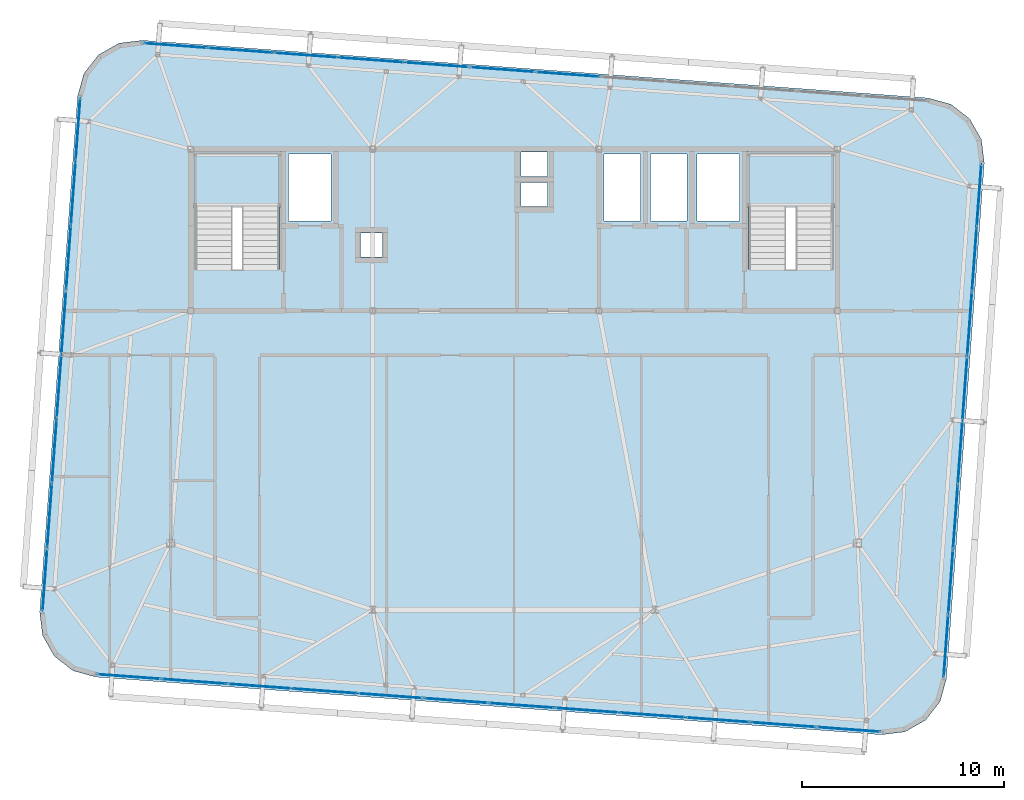
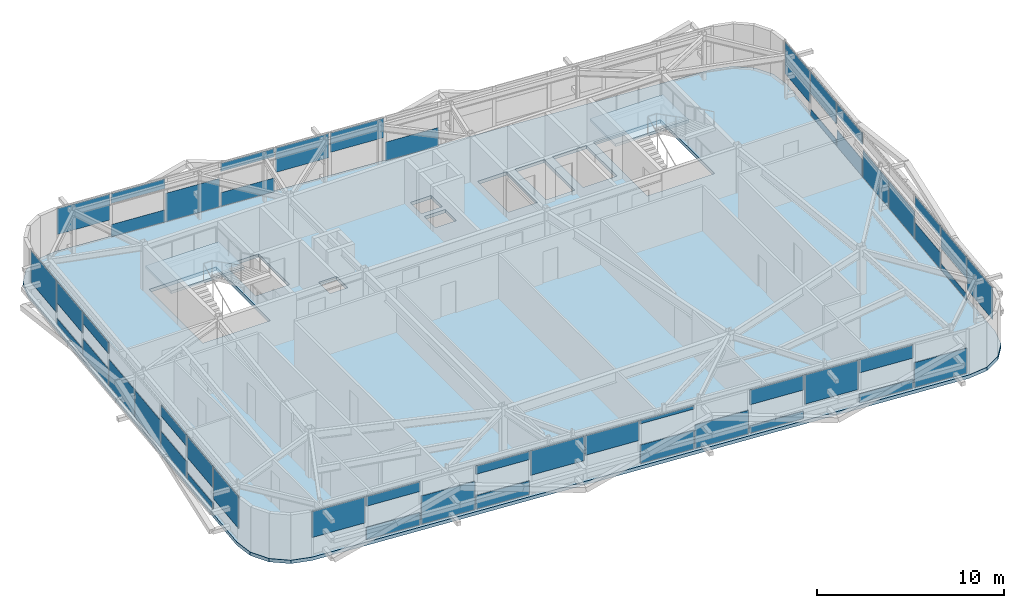
# One storey, part 29 of 42: 50 plates, 3 slabs, 6 elements without a shape of their own.
"""IFC4 building model written with IfcOpenShell, lengths in metres."""

from ifc_helpers import new_model, si_unit, direction, frame, origin, origin_2d, place, context, subcontext, project, spatial, polyline, rectangle, outline, extrude, source, transform, mapped, material, layer, layer_set, type_object, element, aggregate, save


model = new_model("IFC4")

# Units and contexts
model_context = context("Model", 3, precision=1e-05, world=origin(), true_north=direction((0.0, 1.0)))
body_context = subcontext(model_context, "Body", "Model", "MODEL_VIEW")
ifc_project = project(units=[si_unit("LENGTHUNIT", "METRE"), si_unit("AREAUNIT", "SQUARE_METRE"), si_unit("VOLUMEUNIT", "CUBIC_METRE"), si_unit("PLANEANGLEUNIT", "RADIAN"), si_unit("MASSUNIT", "GRAM", prefix="KILO")], contexts=[model_context])

# Site, building, storey
site_placement = place(None, origin())
site = spatial("IfcSite", under=ifc_project, at=site_placement, CompositionType="ELEMENT")
building_placement = place(site_placement, origin())
building = spatial("IfcBuilding", under=site, at=building_placement, Name="Taldren Reach Tower", CompositionType="ELEMENT")
storey_placement = place(building_placement, frame((0.0, 0.0, 224.0)))
storey = spatial("IfcBuildingStorey", under=building, at=storey_placement, Name="L68", CompositionType="ELEMENT", Elevation=224.0)

# Slab
ifc_material_1 = material(Name="Concrete N40 (40 MPa)", Category="concrete")
ifc_layer_1 = layer(ifc_material_1, 0.219970703125)
ifc_layer_set_1 = layer_set([ifc_layer_1], Name="Concrete N40 (40 MPa)")
slab_type_1 = type_object("IfcSlabType", Name="SL-FLR-220", PredefinedType="FLOOR", material=ifc_layer_set_1)
slab_1_placement = place(storey_placement, frame((0.0, 0.0, -0.219970703125)))
element("IfcSlab", 1, at=slab_1_placement, inside=storey, type_object=slab_type_1, Name="Suspended floor slab L68", PredefinedType="FLOOR", context=body_context, shape_type="SweptSolid", body=[
    extrude(outline(polyline([(53.1904296875, 3.014404296875), (54.35205078125, 3.157958984375), (55.370361328125, 3.7353515625), (56.09033203125, 4.658203125), (56.402099609375, 5.78662109375), (58.277099609375, 31.31787109375), (58.13330078125, 32.4794921875), (57.55615234375, 33.497802734375), (56.633056640625, 34.217529296875), (55.5048828125, 34.529541015625), (16.609619140625, 37.3857421875), (15.44775390625, 37.241943359375), (14.429443359375, 36.664794921875), (13.709716796875, 35.74169921875), (13.39794921875, 34.613525390625), (11.52294921875, 9.082275390625), (11.666748046875, 7.920654296875), (12.243896484375, 6.90234375), (13.1669921875, 6.182373046875), (14.295166015625, 5.87060546875), (53.1904296875, 3.014404296875)]), holes=[polyline([(19.219970703125, 26.050048828125), (23.3798828125, 26.050048828125), (23.3798828125, 31.820068359375), (19.219970703125, 31.820068359375), (19.219970703125, 26.050048828125)]), polyline([(46.6201171875, 26.050048828125), (50.780029296875, 26.050048828125), (50.780029296875, 31.820068359375), (46.6201171875, 31.820068359375), (46.6201171875, 26.050048828125)]), polyline([(23.85009765625, 28.449951171875), (25.949951171875, 28.449951171875), (25.949951171875, 31.75), (23.85009765625, 31.75), (23.85009765625, 28.449951171875)]), polyline([(44.050048828125, 28.449951171875), (46.14990234375, 28.449951171875), (46.14990234375, 31.75), (44.050048828125, 31.75), (44.050048828125, 28.449951171875)]), polyline([(39.449951171875, 28.449951171875), (41.25, 28.449951171875), (41.25, 31.75), (39.449951171875, 31.75), (39.449951171875, 28.449951171875)]), polyline([(41.75, 28.449951171875), (43.550048828125, 28.449951171875), (43.550048828125, 31.75), (41.75, 31.75), (41.75, 28.449951171875)]), polyline([(35.35009765625, 30.64990234375), (36.64990234375, 30.64990234375), (36.64990234375, 31.85009765625), (35.35009765625, 31.85009765625), (35.35009765625, 30.64990234375)]), polyline([(35.35009765625, 29.14990234375), (36.64990234375, 29.14990234375), (36.64990234375, 30.35009765625), (35.35009765625, 30.35009765625), (35.35009765625, 29.14990234375)]), polyline([(27.39990234375, 26.64990234375), (28.5, 26.64990234375), (28.5, 27.85009765625), (27.39990234375, 27.85009765625), (27.39990234375, 26.64990234375)])]), origin(), (0.0, 0.0, 1.0), 0.219970703125),
])

# Stair, slab
ifc_material_2 = material(Name="Concrete S50 (50 MPa)", Category="concrete")
stair_type = type_object("IfcStairType", Name="ST-HT-315", PredefinedType="HALF_TURN_STAIR", material=ifc_material_2)
stair_1_placement = place(storey_placement, origin())
stair_1 = element("IfcStair", 2, at=stair_1_placement, inside=storey, type_object=stair_type, Name="Fire-isolated exit stair ST1 L68", PredefinedType="HALF_TURN_STAIR")
ifc_layer_2 = layer(ifc_material_2, 0.179931640625)
ifc_layer_set_2 = layer_set([ifc_layer_2], Name="Concrete S50 (50 MPa)")
slab_type_2 = type_object("IfcSlabType", Name="SL-LAND-180", PredefinedType="LANDING", material=ifc_layer_set_2)
slab_2_placement = place(storey_placement, frame((0.0, 0.0, 1.39501953125)))
slab_2 = element("IfcSlab", 3, at=slab_2_placement, type_object=slab_type_2, Name="ST1 landing 1", PredefinedType="LANDING", context=body_context, shape_type="SweptSolid", body=[
    extrude(outline(polyline([(19.0400390625, 29.135009765625), (23.56005859375, 29.135009765625), (23.56005859375, 31.8701171875), (19.0400390625, 31.8701171875), (19.0400390625, 29.135009765625)])), origin(), (0.0, 0.0, 1.0), 0.179931640625),
])
aggregate(stair_1, [slab_2])

stair_2_placement = place(storey_placement, origin())
stair_2 = element("IfcStair", 4, at=stair_2_placement, inside=storey, type_object=stair_type, Name="Fire-isolated exit stair ST2 L68", PredefinedType="HALF_TURN_STAIR")
slab_3_placement = place(storey_placement, frame((0.0, 0.0, 1.39501953125)))
slab_3 = element("IfcSlab", 5, at=slab_3_placement, type_object=slab_type_2, Name="ST2 landing 1", PredefinedType="LANDING", context=body_context, shape_type="SweptSolid", body=[
    extrude(outline(polyline([(46.43994140625, 29.135009765625), (50.9599609375, 29.135009765625), (50.9599609375, 31.8701171875), (46.43994140625, 31.8701171875), (46.43994140625, 29.135009765625)])), origin(), (0.0, 0.0, 1.0), 0.179931640625),
])
aggregate(stair_2, [slab_3])

# Curtain wall, plates
ifc_material_3 = material(Name="Aluminium and Low-E Glass Unitised System", Category="aluminium")
ifc_layer_3 = layer(ifc_material_3, 0.159912109375)
ifc_layer_set_3 = layer_set([ifc_layer_3], Name="Aluminium and Low-E Glass Unitised System")
curtain_wall_type = type_object("IfcCurtainWallType", Name="CW-SYS-6", PredefinedType="NOTDEFINED", material=ifc_layer_set_3)
curtain_wall_1_placement = place(storey_placement, origin())
curtain_wall_1 = element("IfcCurtainWall", 6, at=curtain_wall_1_placement, inside=storey, type_object=curtain_wall_type, Name="Unitised curtain wall CW-L68-S", PredefinedType="NOTDEFINED")
ifc_material_4 = material(Name="Acoustic Triple-Laminated IGU", Category="glass")
ifc_layer_4 = layer(ifc_material_4, 0.035888671875)
ifc_layer_set_4 = layer_set([ifc_layer_4], Name="Acoustic Triple-Laminated IGU")
plate_type = type_object("IfcPlateType", Name="CW-PNL-IGU36", PredefinedType="CURTAIN_PANEL", material=ifc_layer_set_4)
shared_shape_1 = source(origin(), body_context, "Body", "SweptSolid", [
    extrude(rectangle(XDim=3.137451171875, YDim=0.035888671875, at=origin_2d()), origin(), (0.0, 0.0, 1.0), 1.63037109375),
])
plate_1_placement = place(storey_placement, frame((51.561279296875, 3.2744140625, 0.06005859375), z_axis=(0.0, 0.0, 1.0), x_axis=(0.997314476006, -0.073238213716, 0.0)))
plate_1 = element("IfcPlate", 7, at=plate_1_placement, type_object=plate_type, Name="CW-6 panel 12.1 part 1", PredefinedType="CURTAIN_PANEL", context=body_context, shape_type="MappedRepresentation", body=[
    mapped(shared_shape_1, transform((0.0, 0.0, 0.0), scale=1.0)),
])
shared_shape_2 = source(origin(), body_context, "Body", "SweptSolid", [
    extrude(rectangle(XDim=3.175048828125, YDim=0.035888671875, at=origin_2d()), origin(), (0.0, 0.0, 1.0), 0.574462890625),
])
plate_2_placement = place(storey_placement, frame((48.3388671875, 3.510986328125, 0.06005859375), z_axis=(0.0, 0.0, 1.0), x_axis=(0.997314476006, -0.073238213716, 0.0)))
plate_2 = element("IfcPlate", 8, at=plate_2_placement, type_object=plate_type, Name="CW-6 panel 11.1 part 1", PredefinedType="CURTAIN_PANEL", context=body_context, shape_type="MappedRepresentation", body=[
    mapped(shared_shape_2, transform((0.0, 0.0, 0.0), scale=1.0)),
])
shared_shape_3 = source(origin(), body_context, "Body", "SweptSolid", [
    extrude(rectangle(XDim=3.175048828125, YDim=0.035888671875, at=origin_2d()), origin(), (0.0, 0.0, 1.0), 0.852294921875),
])
plate_3_placement = place(storey_placement, frame((48.3388671875, 3.510986328125, 2.017578125), z_axis=(0.0, 0.0, 1.0), x_axis=(0.997314476006, -0.073238213716, 0.0)))
plate_3 = element("IfcPlate", 9, at=plate_3_placement, type_object=plate_type, Name="CW-6 panel 11.1 part 2", PredefinedType="CURTAIN_PANEL", context=body_context, shape_type="MappedRepresentation", body=[
    mapped(shared_shape_3, transform((0.0, 0.0, 0.0), scale=1.0)),
])
shared_shape_4 = source(origin(), body_context, "Body", "SweptSolid", [
    extrude(rectangle(XDim=3.175048828125, YDim=0.035888671875, at=origin_2d()), origin(), (0.0, 0.0, 1.0), 1.907958984375),
])
plate_4_placement = place(storey_placement, frame((45.09765625, 3.7490234375, 0.9619140625), z_axis=(0.0, 0.0, 1.0), x_axis=(0.997314476006, -0.073238213716, 0.0)))
plate_4 = element("IfcPlate", 10, at=plate_4_placement, type_object=plate_type, Name="CW-6 panel 10.1 part 1", PredefinedType="CURTAIN_PANEL", context=body_context, shape_type="MappedRepresentation", body=[
    mapped(shared_shape_4, transform((0.0, 0.0, 0.0), scale=1.0)),
])
shared_shape_5 = source(origin(), body_context, "Body", "SweptSolid", [
    extrude(rectangle(XDim=3.175048828125, YDim=0.035888671875, at=origin_2d()), origin(), (0.0, 0.0, 1.0), 0.473876953125),
])
plate_5_placement = place(storey_placement, frame((41.856201171875, 3.987060546875, 0.06005859375), z_axis=(0.0, 0.0, 1.0), x_axis=(0.997314476006, -0.073238213716, 0.0)))
plate_5 = element("IfcPlate", 11, at=plate_5_placement, type_object=plate_type, Name="CW-6 panel 9.1 part 1", PredefinedType="CURTAIN_PANEL", context=body_context, shape_type="MappedRepresentation", body=[
    mapped(shared_shape_5, transform((0.0, 0.0, 0.0), scale=1.0)),
])
shared_shape_6 = source(origin(), body_context, "Body", "SweptSolid", [
    extrude(rectangle(XDim=3.175048828125, YDim=0.035888671875, at=origin_2d()), origin(), (0.0, 0.0, 1.0), 0.952880859375),
])
plate_6_placement = place(storey_placement, frame((41.856201171875, 3.987060546875, 1.9169921875), z_axis=(0.0, 0.0, 1.0), x_axis=(0.997314476006, -0.073238213716, 0.0)))
plate_6 = element("IfcPlate", 12, at=plate_6_placement, type_object=plate_type, Name="CW-6 panel 9.1 part 2", PredefinedType="CURTAIN_PANEL", context=body_context, shape_type="MappedRepresentation", body=[
    mapped(shared_shape_6, transform((0.0, 0.0, 0.0), scale=1.0)),
])
shared_shape_7 = source(origin(), body_context, "Body", "SweptSolid", [
    extrude(rectangle(XDim=3.175048828125, YDim=0.035888671875, at=origin_2d()), origin(), (0.0, 0.0, 1.0), 1.52978515625),
])
plate_7_placement = place(storey_placement, frame((38.614990234375, 4.22509765625, 0.06005859375), z_axis=(0.0, 0.0, 1.0), x_axis=(0.997314476006, -0.073238213716, 0.0)))
plate_7 = element("IfcPlate", 13, at=plate_7_placement, type_object=plate_type, Name="CW-6 panel 8.1 part 1", PredefinedType="CURTAIN_PANEL", context=body_context, shape_type="MappedRepresentation", body=[
    mapped(shared_shape_7, transform((0.0, 0.0, 0.0), scale=1.0)),
])
shared_shape_8 = source(origin(), body_context, "Body", "SweptSolid", [
    extrude(rectangle(XDim=3.175048828125, YDim=0.035888671875, at=origin_2d()), origin(), (0.0, 0.0, 1.0), 1.21142578125),
])
plate_8_placement = place(storey_placement, frame((35.373779296875, 4.463134765625, 0.06005859375), z_axis=(0.0, 0.0, 1.0), x_axis=(0.997314476006, -0.073238213716, 0.0)))
plate_8 = element("IfcPlate", 14, at=plate_8_placement, type_object=plate_type, Name="CW-6 panel 7.1 part 1", PredefinedType="CURTAIN_PANEL", context=body_context, shape_type="MappedRepresentation", body=[
    mapped(shared_shape_8, transform((0.0, 0.0, 0.0), scale=1.0)),
])

# Curtain wall, plate
curtain_wall_2_placement = place(storey_placement, origin())
curtain_wall_2 = element("IfcCurtainWall", 15, at=curtain_wall_2_placement, inside=storey, type_object=curtain_wall_type, Name="Unitised curtain wall CW-L68-N", PredefinedType="NOTDEFINED")
plate_9_placement = place(storey_placement, frame((37.66748046875, 35.698974609375, 0.06005859375), z_axis=(0.0, 0.0, 1.0), x_axis=(-0.997314476006, 0.073238213716, 0.0)))
plate_9 = element("IfcPlate", 16, at=plate_9_placement, type_object=plate_type, Name="CW-6 panel 6.1 part 1", PredefinedType="CURTAIN_PANEL", context=body_context, shape_type="MappedRepresentation", body=[
    mapped(shared_shape_8, transform((0.0, 0.0, 0.0), scale=1.0)),
])

# Plate
shared_shape_9 = source(origin(), body_context, "Body", "SweptSolid", [
    extrude(rectangle(XDim=3.175048828125, YDim=0.035888671875, at=origin_2d()), origin(), (0.0, 0.0, 1.0), 0.215576171875),
])
plate_10_placement = place(storey_placement, frame((35.373779296875, 4.463134765625, 2.654296875), z_axis=(0.0, 0.0, 1.0), x_axis=(0.997314476006, -0.073238213716, 0.0)))
plate_10 = element("IfcPlate", 17, at=plate_10_placement, type_object=plate_type, Name="CW-6 panel 7.1 part 2", PredefinedType="CURTAIN_PANEL", context=body_context, shape_type="MappedRepresentation", body=[
    mapped(shared_shape_9, transform((0.0, 0.0, 0.0), scale=1.0)),
])

shared_shape_10 = source(origin(), body_context, "Body", "SweptSolid", [
    extrude(rectangle(XDim=3.175048828125, YDim=0.035888671875, at=origin_2d()), origin(), (0.0, 0.0, 1.0), 1.271240234375),
])
plate_11_placement = place(storey_placement, frame((32.132568359375, 4.701171875, 1.5986328125), z_axis=(0.0, 0.0, 1.0), x_axis=(0.997314476006, -0.073238213716, 0.0)))
plate_11 = element("IfcPlate", 18, at=plate_11_placement, type_object=plate_type, Name="CW-6 panel 6.1 part 1", PredefinedType="CURTAIN_PANEL", context=body_context, shape_type="MappedRepresentation", body=[
    mapped(shared_shape_10, transform((0.0, 0.0, 0.0), scale=1.0)),
])

plate_12_placement = place(storey_placement, frame((34.42626953125, 35.93701171875, 1.5986328125), z_axis=(0.0, 0.0, 1.0), x_axis=(-0.997314476006, 0.073238213716, 0.0)))
plate_12 = element("IfcPlate", 19, at=plate_12_placement, type_object=plate_type, Name="CW-6 panel 7.1 part 1", PredefinedType="CURTAIN_PANEL", context=body_context, shape_type="MappedRepresentation", body=[
    mapped(shared_shape_10, transform((0.0, 0.0, 0.0), scale=1.0)),
])

shared_shape_11 = source(origin(), body_context, "Body", "SweptSolid", [
    extrude(rectangle(XDim=3.175048828125, YDim=0.035888671875, at=origin_2d()), origin(), (0.0, 0.0, 1.0), 1.589599609375),
])
plate_13_placement = place(storey_placement, frame((28.89111328125, 4.939208984375, 1.2802734375), z_axis=(0.0, 0.0, 1.0), x_axis=(0.997314476006, -0.073238213716, 0.0)))
plate_13 = element("IfcPlate", 20, at=plate_13_placement, type_object=plate_type, Name="CW-6 panel 5.1 part 1", PredefinedType="CURTAIN_PANEL", context=body_context, shape_type="MappedRepresentation", body=[
    mapped(shared_shape_11, transform((0.0, 0.0, 0.0), scale=1.0)),
])

plate_14_placement = place(storey_placement, frame((31.18505859375, 36.175048828125, 1.2802734375), z_axis=(0.0, 0.0, 1.0), x_axis=(-0.997314476006, 0.073238213716, 0.0)))
plate_14 = element("IfcPlate", 21, at=plate_14_placement, type_object=plate_type, Name="CW-6 panel 8.1 part 1", PredefinedType="CURTAIN_PANEL", context=body_context, shape_type="MappedRepresentation", body=[
    mapped(shared_shape_11, transform((0.0, 0.0, 0.0), scale=1.0)),
])

shared_shape_12 = source(origin(), body_context, "Body", "SweptSolid", [
    extrude(rectangle(XDim=3.175048828125, YDim=0.035888671875, at=origin_2d()), origin(), (0.0, 0.0, 1.0), 0.89306640625),
])
plate_15_placement = place(storey_placement, frame((25.64990234375, 5.177001953125, 0.06005859375), z_axis=(0.0, 0.0, 1.0), x_axis=(0.997314476006, -0.073238213716, 0.0)))
plate_15 = element("IfcPlate", 22, at=plate_15_placement, type_object=plate_type, Name="CW-6 panel 4.1 part 1", PredefinedType="CURTAIN_PANEL", context=body_context, shape_type="MappedRepresentation", body=[
    mapped(shared_shape_12, transform((0.0, 0.0, 0.0), scale=1.0)),
])

plate_16_placement = place(storey_placement, frame((27.94384765625, 36.4130859375, 0.06005859375), z_axis=(0.0, 0.0, 1.0), x_axis=(-0.997314476006, 0.073238213716, 0.0)))
plate_16 = element("IfcPlate", 23, at=plate_16_placement, type_object=plate_type, Name="CW-6 panel 9.1 part 1", PredefinedType="CURTAIN_PANEL", context=body_context, shape_type="MappedRepresentation", body=[
    mapped(shared_shape_12, transform((0.0, 0.0, 0.0), scale=1.0)),
])

shared_shape_13 = source(origin(), body_context, "Body", "SweptSolid", [
    extrude(rectangle(XDim=3.175048828125, YDim=0.035888671875, at=origin_2d()), origin(), (0.0, 0.0, 1.0), 0.533935546875),
])
plate_17_placement = place(storey_placement, frame((25.64990234375, 5.177001953125, 2.3359375), z_axis=(0.0, 0.0, 1.0), x_axis=(0.997314476006, -0.073238213716, 0.0)))
plate_17 = element("IfcPlate", 24, at=plate_17_placement, type_object=plate_type, Name="CW-6 panel 4.1 part 2", PredefinedType="CURTAIN_PANEL", context=body_context, shape_type="MappedRepresentation", body=[
    mapped(shared_shape_13, transform((0.0, 0.0, 0.0), scale=1.0)),
])

plate_18_placement = place(storey_placement, frame((27.94384765625, 36.4130859375, 2.3359375), z_axis=(0.0, 0.0, 1.0), x_axis=(-0.997314476006, 0.073238213716, 0.0)))
plate_18 = element("IfcPlate", 25, at=plate_18_placement, type_object=plate_type, Name="CW-6 panel 9.1 part 2", PredefinedType="CURTAIN_PANEL", context=body_context, shape_type="MappedRepresentation", body=[
    mapped(shared_shape_13, transform((0.0, 0.0, 0.0), scale=1.0)),
])

shared_shape_14 = source(origin(), body_context, "Body", "SweptSolid", [
    extrude(rectangle(XDim=3.175048828125, YDim=0.035888671875, at=origin_2d()), origin(), (0.0, 0.0, 1.0), 1.84814453125),
])
plate_19_placement = place(storey_placement, frame((22.40869140625, 5.4150390625, 0.06005859375), z_axis=(0.0, 0.0, 1.0), x_axis=(0.997314476006, -0.073238213716, 0.0)))
plate_19 = element("IfcPlate", 26, at=plate_19_placement, type_object=plate_type, Name="CW-6 panel 3.1 part 1", PredefinedType="CURTAIN_PANEL", context=body_context, shape_type="MappedRepresentation", body=[
    mapped(shared_shape_14, transform((0.0, 0.0, 0.0), scale=1.0)),
])

plate_20_placement = place(storey_placement, frame((24.702392578125, 36.651123046875, 0.06005859375), z_axis=(0.0, 0.0, 1.0), x_axis=(-0.997314476006, 0.073238213716, 0.0)))
plate_20 = element("IfcPlate", 27, at=plate_20_placement, type_object=plate_type, Name="CW-6 panel 10.1 part 1", PredefinedType="CURTAIN_PANEL", context=body_context, shape_type="MappedRepresentation", body=[
    mapped(shared_shape_14, transform((0.0, 0.0, 0.0), scale=1.0)),
])

shared_shape_15 = source(origin(), body_context, "Body", "SweptSolid", [
    extrude(rectangle(XDim=3.175048828125, YDim=0.035888671875, at=origin_2d()), origin(), (0.0, 0.0, 1.0), 0.792236328125),
])
plate_21_placement = place(storey_placement, frame((19.16748046875, 5.653076171875, 0.06005859375), z_axis=(0.0, 0.0, 1.0), x_axis=(0.997314476006, -0.073238213716, 0.0)))
plate_21 = element("IfcPlate", 28, at=plate_21_placement, type_object=plate_type, Name="CW-6 panel 2.1 part 1", PredefinedType="CURTAIN_PANEL", context=body_context, shape_type="MappedRepresentation", body=[
    mapped(shared_shape_15, transform((0.0, 0.0, 0.0), scale=1.0)),
])

plate_22_placement = place(storey_placement, frame((21.461181640625, 36.88916015625, 0.06005859375), z_axis=(0.0, 0.0, 1.0), x_axis=(-0.997314476006, 0.073238213716, 0.0)))
plate_22 = element("IfcPlate", 29, at=plate_22_placement, type_object=plate_type, Name="CW-6 panel 11.1 part 1", PredefinedType="CURTAIN_PANEL", context=body_context, shape_type="MappedRepresentation", body=[
    mapped(shared_shape_15, transform((0.0, 0.0, 0.0), scale=1.0)),
])

shared_shape_16 = source(origin(), body_context, "Body", "SweptSolid", [
    extrude(rectangle(XDim=3.175048828125, YDim=0.035888671875, at=origin_2d()), origin(), (0.0, 0.0, 1.0), 0.634521484375),
])
plate_23_placement = place(storey_placement, frame((19.16748046875, 5.653076171875, 2.2353515625), z_axis=(0.0, 0.0, 1.0), x_axis=(0.997314476006, -0.073238213716, 0.0)))
plate_23 = element("IfcPlate", 30, at=plate_23_placement, type_object=plate_type, Name="CW-6 panel 2.1 part 2", PredefinedType="CURTAIN_PANEL", context=body_context, shape_type="MappedRepresentation", body=[
    mapped(shared_shape_16, transform((0.0, 0.0, 0.0), scale=1.0)),
])

plate_24_placement = place(storey_placement, frame((21.461181640625, 36.88916015625, 2.2353515625), z_axis=(0.0, 0.0, 1.0), x_axis=(-0.997314476006, 0.073238213716, 0.0)))
plate_24 = element("IfcPlate", 31, at=plate_24_placement, type_object=plate_type, Name="CW-6 panel 11.1 part 2", PredefinedType="CURTAIN_PANEL", context=body_context, shape_type="MappedRepresentation", body=[
    mapped(shared_shape_16, transform((0.0, 0.0, 0.0), scale=1.0)),
])

shared_shape_17 = source(origin(), body_context, "Body", "SweptSolid", [
    extrude(rectangle(XDim=3.137451171875, YDim=0.035888671875, at=origin_2d()), origin(), (0.0, 0.0, 1.0), 1.6904296875),
])
plate_25_placement = place(storey_placement, frame((15.94482421875, 5.889892578125, 1.1796875), z_axis=(0.0, 0.0, 1.0), x_axis=(0.997314476006, -0.073238213716, 0.0)))
plate_25 = element("IfcPlate", 32, at=plate_25_placement, type_object=plate_type, Name="CW-6 panel 1.1 part 1", PredefinedType="CURTAIN_PANEL", context=body_context, shape_type="MappedRepresentation", body=[
    mapped(shared_shape_17, transform((0.0, 0.0, 0.0), scale=1.0)),
])

aggregate(curtain_wall_1, [plate_25, plate_21, plate_23, plate_19, plate_15, plate_17, plate_13, plate_11, plate_8, plate_10, plate_7, plate_5, plate_6, plate_4, plate_2, plate_3, plate_1])

plate_26_placement = place(storey_placement, frame((18.238525390625, 37.125732421875, 1.1796875), z_axis=(0.0, 0.0, 1.0), x_axis=(-0.997314476006, 0.073238213716, 0.0)))
plate_26 = element("IfcPlate", 33, at=plate_26_placement, type_object=plate_type, Name="CW-6 panel 12.1 part 1", PredefinedType="CURTAIN_PANEL", context=body_context, shape_type="MappedRepresentation", body=[
    mapped(shared_shape_17, transform((0.0, 0.0, 0.0), scale=1.0)),
])

aggregate(curtain_wall_2, [plate_9, plate_12, plate_14, plate_16, plate_18, plate_20, plate_22, plate_24, plate_26])

# Curtain wall, plates
curtain_wall_3_placement = place(storey_placement, origin())
curtain_wall_3 = element("IfcCurtainWall", 34, at=curtain_wall_3_placement, inside=storey, type_object=curtain_wall_type, Name="Unitised curtain wall CW-L68-W", PredefinedType="NOTDEFINED")
shared_shape_18 = source(origin(), body_context, "Body", "SweptSolid", [
    extrude(rectangle(XDim=3.08740234375, YDim=0.035888671875, at=origin_2d()), origin(), (0.0, 0.0, 1.0), 2.06787109375),
])
plate_27_placement = place(storey_placement, frame((13.4189453125, 32.98876953125, 0.80224609375), z_axis=(0.0, 0.0, 1.0), x_axis=(-0.073238282558, -0.997314470951, 0.0)))
plate_27 = element("IfcPlate", 35, at=plate_27_placement, type_object=plate_type, Name="CW-6 panel 1.1 part 1", PredefinedType="CURTAIN_PANEL", context=body_context, shape_type="MappedRepresentation", body=[
    mapped(shared_shape_18, transform((0.0, 0.0, 0.0), scale=1.0)),
])
plate_28_placement = place(storey_placement, frame((11.78125, 10.686279296875, 0.80224609375), z_axis=(0.0, 0.0, 1.0), x_axis=(-0.073238282558, -0.997314470951, 0.0)))
plate_28 = element("IfcPlate", 36, at=plate_28_placement, type_object=plate_type, Name="CW-6 panel 8.1 part 1", PredefinedType="CURTAIN_PANEL", context=body_context, shape_type="MappedRepresentation", body=[
    mapped(shared_shape_18, transform((0.0, 0.0, 0.0), scale=1.0)),
])

curtain_wall_4_placement = place(storey_placement, origin())
curtain_wall_4 = element("IfcCurtainWall", 37, at=curtain_wall_4_placement, inside=storey, type_object=curtain_wall_type, Name="Unitised curtain wall CW-L68-E", PredefinedType="NOTDEFINED")
plate_29_placement = place(storey_placement, frame((56.381103515625, 7.4111328125, 0.80224609375), z_axis=(0.0, 0.0, 1.0), x_axis=(0.073238282558, 0.997314470951, 0.0)))
plate_29 = element("IfcPlate", 38, at=plate_29_placement, type_object=plate_type, Name="CW-6 panel 1.1 part 1", PredefinedType="CURTAIN_PANEL", context=body_context, shape_type="MappedRepresentation", body=[
    mapped(shared_shape_18, transform((0.0, 0.0, 0.0), scale=1.0)),
])
plate_30_placement = place(storey_placement, frame((58.018798828125, 29.713623046875, 0.80224609375), z_axis=(0.0, 0.0, 1.0), x_axis=(0.073238282558, 0.997314470951, 0.0)))
plate_30 = element("IfcPlate", 39, at=plate_30_placement, type_object=plate_type, Name="CW-6 panel 8.1 part 1", PredefinedType="CURTAIN_PANEL", context=body_context, shape_type="MappedRepresentation", body=[
    mapped(shared_shape_18, transform((0.0, 0.0, 0.0), scale=1.0)),
])

# Plate
shared_shape_19 = source(origin(), body_context, "Body", "SweptSolid", [
    extrude(rectangle(XDim=3.125, YDim=0.035888671875, at=origin_2d()), origin(), (0.0, 0.0, 1.0), 0.415771484375),
])
plate_31_placement = place(storey_placement, frame((13.18603515625, 29.816162109375, 0.06005859375), z_axis=(0.0, 0.0, 1.0), x_axis=(-0.073238282558, -0.997314470951, 0.0)))
plate_31 = element("IfcPlate", 40, at=plate_31_placement, type_object=plate_type, Name="CW-6 panel 2.1 part 1", PredefinedType="CURTAIN_PANEL", context=body_context, shape_type="MappedRepresentation", body=[
    mapped(shared_shape_19, transform((0.0, 0.0, 0.0), scale=1.0)),
])

plate_32_placement = place(storey_placement, frame((12.01416015625, 13.859130859375, 0.06005859375), z_axis=(0.0, 0.0, 1.0), x_axis=(-0.073238282558, -0.997314470951, 0.0)))
plate_32 = element("IfcPlate", 41, at=plate_32_placement, type_object=plate_type, Name="CW-6 panel 7.1 part 1", PredefinedType="CURTAIN_PANEL", context=body_context, shape_type="MappedRepresentation", body=[
    mapped(shared_shape_19, transform((0.0, 0.0, 0.0), scale=1.0)),
])

plate_33_placement = place(storey_placement, frame((56.614013671875, 10.583984375, 0.06005859375), z_axis=(0.0, 0.0, 1.0), x_axis=(0.073238282558, 0.997314470951, 0.0)))
plate_33 = element("IfcPlate", 42, at=plate_33_placement, type_object=plate_type, Name="CW-6 panel 2.1 part 1", PredefinedType="CURTAIN_PANEL", context=body_context, shape_type="MappedRepresentation", body=[
    mapped(shared_shape_19, transform((0.0, 0.0, 0.0), scale=1.0)),
])

plate_34_placement = place(storey_placement, frame((57.785888671875, 26.541015625, 0.06005859375), z_axis=(0.0, 0.0, 1.0), x_axis=(0.073238282558, 0.997314470951, 0.0)))
plate_34 = element("IfcPlate", 43, at=plate_34_placement, type_object=plate_type, Name="CW-6 panel 7.1 part 1", PredefinedType="CURTAIN_PANEL", context=body_context, shape_type="MappedRepresentation", body=[
    mapped(shared_shape_19, transform((0.0, 0.0, 0.0), scale=1.0)),
])

shared_shape_20 = source(origin(), body_context, "Body", "SweptSolid", [
    extrude(rectangle(XDim=3.125, YDim=0.035888671875, at=origin_2d()), origin(), (0.0, 0.0, 1.0), 1.3974609375),
])
plate_35_placement = place(storey_placement, frame((13.18603515625, 29.816162109375, 1.472412109375), z_axis=(0.0, 0.0, 1.0), x_axis=(-0.073238282558, -0.997314470951, 0.0)))
plate_35 = element("IfcPlate", 44, at=plate_35_placement, type_object=plate_type, Name="CW-6 panel 2.1 part 2", PredefinedType="CURTAIN_PANEL", context=body_context, shape_type="MappedRepresentation", body=[
    mapped(shared_shape_20, transform((0.0, 0.0, 0.0), scale=1.0)),
])

plate_36_placement = place(storey_placement, frame((12.01416015625, 13.859130859375, 1.472412109375), z_axis=(0.0, 0.0, 1.0), x_axis=(-0.073238282558, -0.997314470951, 0.0)))
plate_36 = element("IfcPlate", 45, at=plate_36_placement, type_object=plate_type, Name="CW-6 panel 7.1 part 2", PredefinedType="CURTAIN_PANEL", context=body_context, shape_type="MappedRepresentation", body=[
    mapped(shared_shape_20, transform((0.0, 0.0, 0.0), scale=1.0)),
])

plate_37_placement = place(storey_placement, frame((56.614013671875, 10.583984375, 1.472412109375), z_axis=(0.0, 0.0, 1.0), x_axis=(0.073238282558, 0.997314470951, 0.0)))
plate_37 = element("IfcPlate", 46, at=plate_37_placement, type_object=plate_type, Name="CW-6 panel 2.1 part 2", PredefinedType="CURTAIN_PANEL", context=body_context, shape_type="MappedRepresentation", body=[
    mapped(shared_shape_20, transform((0.0, 0.0, 0.0), scale=1.0)),
])

plate_38_placement = place(storey_placement, frame((57.785888671875, 26.541015625, 1.472412109375), z_axis=(0.0, 0.0, 1.0), x_axis=(0.073238282558, 0.997314470951, 0.0)))
plate_38 = element("IfcPlate", 47, at=plate_38_placement, type_object=plate_type, Name="CW-6 panel 7.1 part 2", PredefinedType="CURTAIN_PANEL", context=body_context, shape_type="MappedRepresentation", body=[
    mapped(shared_shape_20, transform((0.0, 0.0, 0.0), scale=1.0)),
])

shared_shape_21 = source(origin(), body_context, "Body", "SweptSolid", [
    extrude(rectangle(XDim=3.125, YDim=0.035888671875, at=origin_2d()), origin(), (0.0, 0.0, 1.0), 1.086181640625),
])
plate_39_placement = place(storey_placement, frame((12.95166015625, 26.624755859375, 0.06005859375), z_axis=(0.0, 0.0, 1.0), x_axis=(-0.073238282558, -0.997314470951, 0.0)))
plate_39 = element("IfcPlate", 48, at=plate_39_placement, type_object=plate_type, Name="CW-6 panel 3.1 part 1", PredefinedType="CURTAIN_PANEL", context=body_context, shape_type="MappedRepresentation", body=[
    mapped(shared_shape_21, transform((0.0, 0.0, 0.0), scale=1.0)),
])

plate_40_placement = place(storey_placement, frame((12.24853515625, 17.050537109375, 0.06005859375), z_axis=(0.0, 0.0, 1.0), x_axis=(-0.073238282558, -0.997314470951, 0.0)))
plate_40 = element("IfcPlate", 49, at=plate_40_placement, type_object=plate_type, Name="CW-6 panel 6.1 part 1", PredefinedType="CURTAIN_PANEL", context=body_context, shape_type="MappedRepresentation", body=[
    mapped(shared_shape_21, transform((0.0, 0.0, 0.0), scale=1.0)),
])

plate_41_placement = place(storey_placement, frame((56.848388671875, 13.775390625, 0.06005859375), z_axis=(0.0, 0.0, 1.0), x_axis=(0.073238282558, 0.997314470951, 0.0)))
plate_41 = element("IfcPlate", 50, at=plate_41_placement, type_object=plate_type, Name="CW-6 panel 3.1 part 1", PredefinedType="CURTAIN_PANEL", context=body_context, shape_type="MappedRepresentation", body=[
    mapped(shared_shape_21, transform((0.0, 0.0, 0.0), scale=1.0)),
])

plate_42_placement = place(storey_placement, frame((57.551513671875, 23.349609375, 0.06005859375), z_axis=(0.0, 0.0, 1.0), x_axis=(0.073238282558, 0.997314470951, 0.0)))
plate_42 = element("IfcPlate", 51, at=plate_42_placement, type_object=plate_type, Name="CW-6 panel 6.1 part 1", PredefinedType="CURTAIN_PANEL", context=body_context, shape_type="MappedRepresentation", body=[
    mapped(shared_shape_21, transform((0.0, 0.0, 0.0), scale=1.0)),
])

shared_shape_22 = source(origin(), body_context, "Body", "SweptSolid", [
    extrude(rectangle(XDim=3.125, YDim=0.035888671875, at=origin_2d()), origin(), (0.0, 0.0, 1.0), 0.727294921875),
])
plate_43_placement = place(storey_placement, frame((12.95166015625, 26.624755859375, 2.142578125), z_axis=(0.0, 0.0, 1.0), x_axis=(-0.073238282558, -0.997314470951, 0.0)))
plate_43 = element("IfcPlate", 52, at=plate_43_placement, type_object=plate_type, Name="CW-6 panel 3.1 part 2", PredefinedType="CURTAIN_PANEL", context=body_context, shape_type="MappedRepresentation", body=[
    mapped(shared_shape_22, transform((0.0, 0.0, 0.0), scale=1.0)),
])

plate_44_placement = place(storey_placement, frame((12.24853515625, 17.050537109375, 2.142578125), z_axis=(0.0, 0.0, 1.0), x_axis=(-0.073238282558, -0.997314470951, 0.0)))
plate_44 = element("IfcPlate", 53, at=plate_44_placement, type_object=plate_type, Name="CW-6 panel 6.1 part 2", PredefinedType="CURTAIN_PANEL", context=body_context, shape_type="MappedRepresentation", body=[
    mapped(shared_shape_22, transform((0.0, 0.0, 0.0), scale=1.0)),
])

plate_45_placement = place(storey_placement, frame((56.848388671875, 13.775390625, 2.142578125), z_axis=(0.0, 0.0, 1.0), x_axis=(0.073238282558, 0.997314470951, 0.0)))
plate_45 = element("IfcPlate", 54, at=plate_45_placement, type_object=plate_type, Name="CW-6 panel 3.1 part 2", PredefinedType="CURTAIN_PANEL", context=body_context, shape_type="MappedRepresentation", body=[
    mapped(shared_shape_22, transform((0.0, 0.0, 0.0), scale=1.0)),
])

plate_46_placement = place(storey_placement, frame((57.551513671875, 23.349609375, 2.142578125), z_axis=(0.0, 0.0, 1.0), x_axis=(0.073238282558, 0.997314470951, 0.0)))
plate_46 = element("IfcPlate", 55, at=plate_46_placement, type_object=plate_type, Name="CW-6 panel 6.1 part 2", PredefinedType="CURTAIN_PANEL", context=body_context, shape_type="MappedRepresentation", body=[
    mapped(shared_shape_22, transform((0.0, 0.0, 0.0), scale=1.0)),
])

shared_shape_23 = source(origin(), body_context, "Body", "SweptSolid", [
    extrude(rectangle(XDim=3.125, YDim=0.035888671875, at=origin_2d()), origin(), (0.0, 0.0, 1.0), 1.756591796875),
])
plate_47_placement = place(storey_placement, frame((12.71728515625, 23.433349609375, 0.06005859375), z_axis=(0.0, 0.0, 1.0), x_axis=(-0.073238282558, -0.997314470951, 0.0)))
plate_47 = element("IfcPlate", 56, at=plate_47_placement, type_object=plate_type, Name="CW-6 panel 4.1 part 1", PredefinedType="CURTAIN_PANEL", context=body_context, shape_type="MappedRepresentation", body=[
    mapped(shared_shape_23, transform((0.0, 0.0, 0.0), scale=1.0)),
])

plate_48_placement = place(storey_placement, frame((12.48291015625, 20.241943359375, 0.06005859375), z_axis=(0.0, 0.0, 1.0), x_axis=(-0.073238282558, -0.997314470951, 0.0)))
plate_48 = element("IfcPlate", 57, at=plate_48_placement, type_object=plate_type, Name="CW-6 panel 5.1 part 1", PredefinedType="CURTAIN_PANEL", context=body_context, shape_type="MappedRepresentation", body=[
    mapped(shared_shape_23, transform((0.0, 0.0, 0.0), scale=1.0)),
])

aggregate(curtain_wall_3, [plate_27, plate_31, plate_35, plate_39, plate_43, plate_47, plate_48, plate_40, plate_44, plate_32, plate_36, plate_28])

plate_49_placement = place(storey_placement, frame((57.082763671875, 16.966796875, 0.06005859375), z_axis=(0.0, 0.0, 1.0), x_axis=(0.073238282558, 0.997314470951, 0.0)))
plate_49 = element("IfcPlate", 58, at=plate_49_placement, type_object=plate_type, Name="CW-6 panel 4.1 part 1", PredefinedType="CURTAIN_PANEL", context=body_context, shape_type="MappedRepresentation", body=[
    mapped(shared_shape_23, transform((0.0, 0.0, 0.0), scale=1.0)),
])

plate_50_placement = place(storey_placement, frame((57.317138671875, 20.158203125, 0.06005859375), z_axis=(0.0, 0.0, 1.0), x_axis=(0.073238282558, 0.997314470951, 0.0)))
plate_50 = element("IfcPlate", 59, at=plate_50_placement, type_object=plate_type, Name="CW-6 panel 5.1 part 1", PredefinedType="CURTAIN_PANEL", context=body_context, shape_type="MappedRepresentation", body=[
    mapped(shared_shape_23, transform((0.0, 0.0, 0.0), scale=1.0)),
])

aggregate(curtain_wall_4, [plate_29, plate_33, plate_37, plate_41, plate_45, plate_49, plate_50, plate_42, plate_46, plate_34, plate_38, plate_30])

save(model, "model.ifc")
